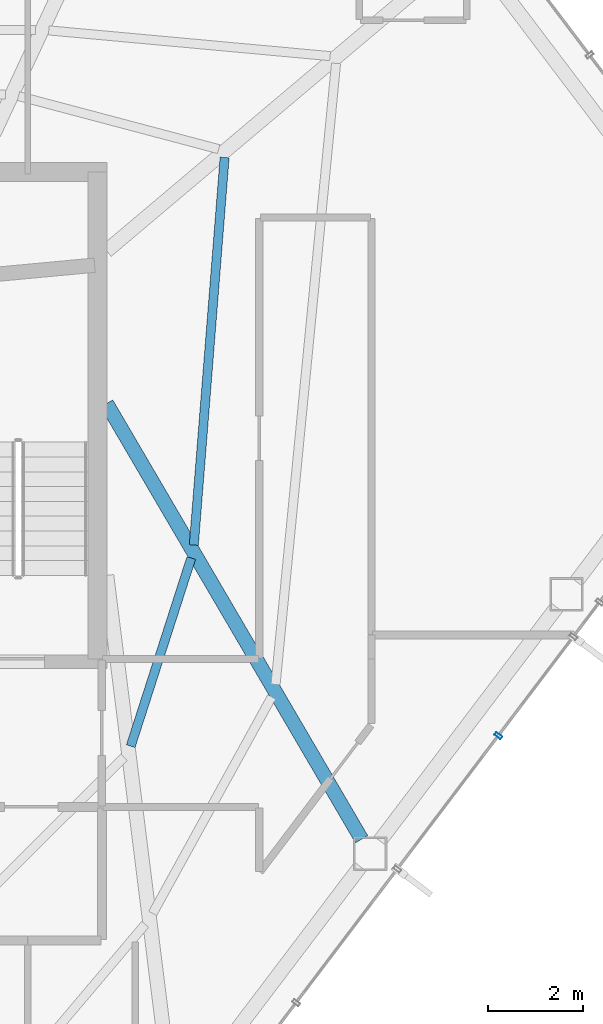
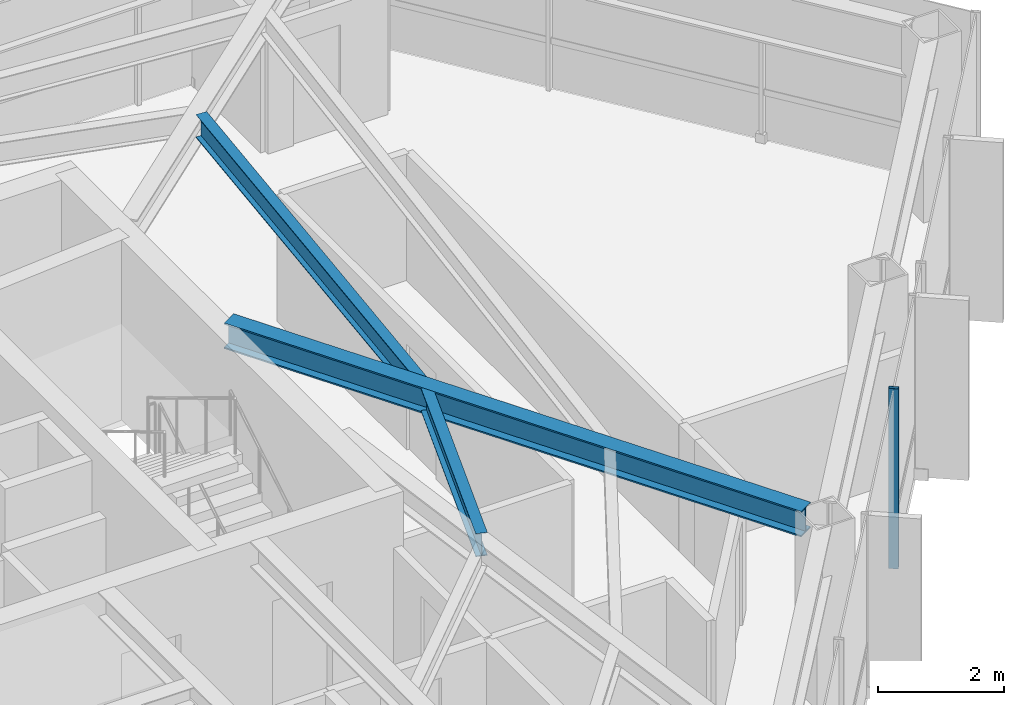
# One storey, part 19 of 28: 3 beams, 1 member, 1 element without a shape of its own.
"""IFC4 building model written with IfcOpenShell, lengths in metres."""

import ifcopenshell
import ifcopenshell.guid

model = None  # the IFC model being written
_history = None  # IfcOwnerHistory: only IFC2X3 demands one
_inside = {}  # id of a spatial element -> (the spatial element, [elements in it])
_under = {}  # id of a project, library or spatial element -> (it, [spatial elements below it])
_declared = {}  # id of a project -> (the project, [libraries it declares])
_typed = {}  # id of a type object -> (the type object, [elements of that type])
_made_of = {}  # id of a material, layer set ... -> (it, [elements and type objects made of it])


def new_model(schema):
    """Start an empty IFC model of exactly this schema.

    Asked for "IFC4X3", IfcOpenShell would pick the latest addendum, in which some entities
    have other attributes; the version numbers below select the first issue.
    IFC2X3 requires an IfcOwnerHistory on every rooted entity: one is made here for all.
    """
    global model, _history
    if schema == "IFC4X3":
        model = ifcopenshell.file(schema_version=(4, 3, 0, 0))
    else:
        model = ifcopenshell.file(schema=schema)
    _inside.clear()
    _under.clear()
    _declared.clear()
    _typed.clear()
    _made_of.clear()
    _history = None
    if model.schema == "IFC2X3":
        org = make("IfcOrganization", Name="unknown")
        user = make(
            "IfcPersonAndOrganization",
            ThePerson=make("IfcPerson", FamilyName="unknown"),
            TheOrganization=org,
        )
        app = make(
            "IfcApplication",
            ApplicationDeveloper=org,
            Version="unknown",
            ApplicationFullName="unknown",
            ApplicationIdentifier="unknown",
        )
        _history = make(
            "IfcOwnerHistory",
            OwningUser=user,
            OwningApplication=app,
            ChangeAction="ADDED",
            CreationDate=0,
        )
    return model


def make(cls, **values):
    """One entity of the class cls with the attributes given. An attribute that is None is left unset."""
    return model.create_entity(
        cls, **{name: value for name, value in values.items() if value is not None}
    )


def rooted(cls, **values):
    """An entity with a GlobalId (a new one), such as an element, a storey or a relation."""
    return make(cls, GlobalId=ifcopenshell.guid.new(), OwnerHistory=_history, **values)


def si_unit(unit_type, name, prefix=None):
    """IfcSIUnit, for example si_unit("LENGTHUNIT", "METRE", prefix="MILLI")."""
    return make("IfcSIUnit", UnitType=unit_type, Prefix=prefix, Name=name)


def assignment(units):
    """IfcUnitAssignment: the units of a project."""
    return None if units is None else make("IfcUnitAssignment", Units=units)


def point(xyz):
    """IfcCartesianPoint."""
    return None if xyz is None else make("IfcCartesianPoint", Coordinates=xyz)


def direction(xyz):
    """IfcDirection."""
    return None if xyz is None else make("IfcDirection", DirectionRatios=xyz)


def frame(location, z_axis=None, x_axis=None):
    """IfcAxis2Placement3D, a coordinate frame: its origin and axes. An axis left out is left unset."""
    return make(
        "IfcAxis2Placement3D",
        Location=point(location),
        Axis=direction(z_axis),
        RefDirection=direction(x_axis),
    )


def frame_2d(location, x_axis=None):
    """IfcAxis2Placement2D, a coordinate frame in the plane: its origin and x axis."""
    return make(
        "IfcAxis2Placement2D", Location=point(location), RefDirection=direction(x_axis)
    )


def origin():
    """The frame at (0, 0, 0) with its axes left unset."""
    return frame((0.0, 0.0, 0.0))


def origin_2d():
    """The frame at (0, 0) in the plane with its x axis left unset."""
    return frame_2d((0.0, 0.0))


def place(relative_to, where):
    """IfcLocalPlacement: puts the frame where relative to a parent placement (None: the world)."""
    return make(
        "IfcLocalPlacement", PlacementRelTo=relative_to, RelativePlacement=where
    )


def context(
    kind, dimensions, precision=None, world=None, true_north=None, identifier=None
):
    """IfcGeometricRepresentationContext, for example the 3D "Model" context."""
    return make(
        "IfcGeometricRepresentationContext",
        ContextIdentifier=identifier,
        ContextType=kind,
        CoordinateSpaceDimension=dimensions,
        Precision=precision,
        WorldCoordinateSystem=world,
        TrueNorth=true_north,
    )


def subcontext(parent, identifier, kind, view, scale=None):
    """IfcGeometricRepresentationSubContext, for example "Body" below "Model"."""
    return make(
        "IfcGeometricRepresentationSubContext",
        ContextIdentifier=identifier,
        ContextType=kind,
        ParentContext=parent,
        TargetScale=scale,
        TargetView=view,
    )


def project(units=None, contexts=None):
    """IfcProject with its units and contexts."""
    return rooted(
        "IfcProject",
        Name="project",
        RepresentationContexts=contexts,
        UnitsInContext=assignment(units),
    )


def spatial(cls, under=None, at=None, **own):
    """A site, building, storey or space (cls), placed at a placement, below another one or the project."""
    s = rooted(cls, ObjectPlacement=at, **own)
    if under is not None:
        _under.setdefault(under.id(), (under, []))[1].append(s)
    return s


def profile(cls, at=None, kind="AREA", **sizes):
    """A parametric profile (cls). Its sizes go by their IFC names, for example OverallWidth=200.0."""
    return make(cls, ProfileType=kind, Position=at, **sizes)


def hollow_rectangle(**sizes):
    """IfcRectangleHollowProfileDef."""
    return profile("IfcRectangleHollowProfileDef", **sizes)


def i_section(**sizes):
    """IfcIShapeProfileDef."""
    return profile("IfcIShapeProfileDef", **sizes)


def extrude(swept, where, along, depth):
    """IfcExtrudedAreaSolid: the profile swept, set in the frame where, extruded along a direction by depth."""
    return make(
        "IfcExtrudedAreaSolid",
        SweptArea=swept,
        Position=where,
        ExtrudedDirection=direction(along),
        Depth=depth,
    )


def shape(context_of_items, identifier, shape_type, items):
    """IfcShapeRepresentation: the items that make up one representation, for example the "Body"."""
    return make(
        "IfcShapeRepresentation",
        ContextOfItems=context_of_items,
        RepresentationIdentifier=identifier,
        RepresentationType=shape_type,
        Items=items,
    )


def material(Name=None, Category=None):
    """IfcMaterial."""
    return make("IfcMaterial", Name=Name, Category=Category)


def layer(
    of_material, thickness, ventilated=None, Name=None, Category=None, Priority=None
):
    """IfcMaterialLayer: one layer of a wall or slab, of a material (None: an air gap)."""
    return make(
        "IfcMaterialLayer",
        Material=of_material,
        LayerThickness=thickness,
        IsVentilated=ventilated,
        Name=Name,
        Category=Category,
        Priority=Priority,
    )


def layer_set(layers, Name=None):
    """IfcMaterialLayerSet."""
    return make("IfcMaterialLayerSet", MaterialLayers=layers, LayerSetName=Name)


def material_profile(
    of_material, cross_section, Name=None, Category=None, Priority=None
):
    """IfcMaterialProfile: a cross section and its material."""
    return make(
        "IfcMaterialProfile",
        Name=Name,
        Material=of_material,
        Profile=cross_section,
        Priority=Priority,
        Category=Category,
    )


def profile_set(profiles, Name=None, composite=None):
    """IfcMaterialProfileSet."""
    return make(
        "IfcMaterialProfileSet",
        Name=Name,
        MaterialProfiles=profiles,
        CompositeProfile=composite,
    )


def made_of(thing, what):
    """Note that an element or type object is made of a material, layer set ...; save() writes the relation."""
    if what is not None:
        _made_of.setdefault(what.id(), (what, []))[1].append(thing)
    return thing


def type_object(cls, material=None, **own):
    """A type object (cls), such as IfcWallType, which elements share."""
    return made_of(rooted(cls, **own), material)


def element(
    cls,
    number,
    at=None,
    inside=None,
    cuts=None,
    type_object=None,
    material=None,
    context=None,
    identifier="Body",
    shape_type=None,
    held_by="IfcProductDefinitionShape",
    body=None,
    shapes=None,
    **own,
):
    """One element of the class cls, such as IfcWall. Its Tag is "e" and its number.

    at: its placement. inside: the storey or other place that contains it. cuts: it is an
    opening in that element (IfcRelVoidsElement). A single representation is given by context,
    identifier, shape_type and body (its items); several are given by shapes. held_by: the class
    of the entity that holds the representations. save() writes the other relations.
    """
    e = rooted(cls, Tag="e%d" % number, ObjectPlacement=at, **own)
    if body is not None:
        shapes = [shape(context, identifier, shape_type, body)]
    if shapes is not None:
        e.Representation = make(held_by, Representations=shapes)
    if inside is not None:
        _inside.setdefault(inside.id(), (inside, []))[1].append(e)
    if cuts is not None:
        rooted(
            "IfcRelVoidsElement", RelatingBuildingElement=cuts, RelatedOpeningElement=e
        )
    if type_object is not None:
        _typed.setdefault(type_object.id(), (type_object, []))[1].append(e)
    return made_of(e, material)


def aggregate(whole, parts):
    """IfcRelAggregates: a whole, such as a stair, and the parts it consists of."""
    return rooted("IfcRelAggregates", RelatingObject=whole, RelatedObjects=parts)


def save(model, path):
    """Write the relations noted so far, then the file.

    IfcRelAggregates (storeys below a building ...), IfcRelContainedInSpatialStructure (elements
    in a storey), IfcRelDefinesByType, IfcRelAssociatesMaterial and IfcRelDeclares: one each for
    every whole, place, type object, material and project.
    """
    for whole, parts in _under.values():
        aggregate(whole, parts)
    for where, things in _inside.values():
        rooted(
            "IfcRelContainedInSpatialStructure",
            RelatedElements=things,
            RelatingStructure=where,
        )
    for kind, things in _typed.values():
        rooted("IfcRelDefinesByType", RelatedObjects=things, RelatingType=kind)
    for what, things in _made_of.values():
        rooted("IfcRelAssociatesMaterial", RelatedObjects=things, RelatingMaterial=what)
    for by, libraries in _declared.values():
        rooted("IfcRelDeclares", RelatingContext=by, RelatedDefinitions=libraries)
    model.write(path)


model = new_model("IFC4")

# Units and contexts
model_context = context("Model", 3, precision=1e-05, world=origin(), true_north=direction((0.0, 1.0)))
body_context = subcontext(model_context, "Body", "Model", "MODEL_VIEW")
ifc_project = project(units=[si_unit("LENGTHUNIT", "METRE"), si_unit("AREAUNIT", "SQUARE_METRE"), si_unit("VOLUMEUNIT", "CUBIC_METRE"), si_unit("PLANEANGLEUNIT", "RADIAN"), si_unit("MASSUNIT", "GRAM", prefix="KILO")], contexts=[model_context])

# Site, building, storey
site_placement = place(None, origin())
site = spatial("IfcSite", under=ifc_project, at=site_placement, CompositionType="ELEMENT")
building_placement = place(site_placement, origin())
building = spatial("IfcBuilding", under=site, at=building_placement, Name="Zarrinselat Tower", CompositionType="ELEMENT")
storey_placement = place(building_placement, frame((0.0, 0.0, 164.56005859375)))
storey = spatial("IfcBuildingStorey", under=building, at=storey_placement, Name="L40", CompositionType="ELEMENT", Elevation=164.56005859375)

# Beams
ifc_material_1 = material(Name="Steel S355J2", Category="steel")
ifc_material_profile_1 = material_profile(ifc_material_1, i_section(OverallWidth=0.300048828125, OverallDepth=0.5, WebThickness=0.014404296875, FlangeThickness=0.028076171875, at=origin_2d()), Name="HEB 500")
ifc_profile_set_1 = profile_set([ifc_material_profile_1], Name="Steel S355J2")
beam_type_1 = type_object("IfcBeamType", Name="BM-HEB500", PredefinedType="BEAM", material=ifc_profile_set_1)
beam_1_placement = place(storey_placement, frame((48.449951171875, 38.60009765625, 3.25), z_axis=(0.505160750965, -0.863025269436, 0.0), x_axis=(0.863025269436, 0.505160750965, 0.0)))
element("IfcBeam", 1, at=beam_1_placement, inside=storey, type_object=beam_type_1, Name="L40 Radial Primary Girder RG13", PredefinedType="BEAM", context=body_context, shape_type="SweptSolid", body=[
    extrude(i_section(OverallWidth=0.300048828125, OverallDepth=0.5, WebThickness=0.014404296875, FlangeThickness=0.028076171875, at=origin_2d()), origin(), (0.0, 0.0, 1.0), 10.576416015625),
])
ifc_material_2 = material(Name="Steel S355J2", Category="steel")
ifc_material_profile_2 = material_profile(ifc_material_2, i_section(OverallWidth=0.18994140625, OverallDepth=0.449951171875, WebThickness=0.009521484375, FlangeThickness=0.0146484375, at=origin_2d()), Name="IPE 450")
ifc_profile_set_2 = profile_set([ifc_material_profile_2], Name="Steel S355J2")
beam_type_2 = type_object("IfcBeamType", Name="BM-IPE450", PredefinedType="JOIST", material=ifc_profile_set_2)
beam_2_placement = place(storey_placement, frame((48.955810546875, 31.422119140625, 3.27490234375), z_axis=(0.306232509033, 0.951956748183, 0.0), x_axis=(-0.951956748183, 0.306232509033, 0.0)))
element("IfcBeam", 2, at=beam_2_placement, inside=storey, type_object=beam_type_2, Name="L40 Composite Floor Joist 4-2", PredefinedType="JOIST", context=body_context, shape_type="SweptSolid", body=[
    extrude(i_section(OverallWidth=0.18994140625, OverallDepth=0.449951171875, WebThickness=0.009521484375, FlangeThickness=0.0146484375, at=origin_2d()), origin(), (0.0, 0.0, 1.0), 4.14013671875),
])
beam_3_placement = place(storey_placement, frame((50.277587890625, 35.635986328125, 3.27490234375), z_axis=(0.079190056369, 0.99685953623, 0.0), x_axis=(-0.99685953623, 0.079190056369, 0.0)))
element("IfcBeam", 3, at=beam_3_placement, inside=storey, type_object=beam_type_2, Name="L40 Composite Floor Joist 5-2", PredefinedType="JOIST", context=body_context, shape_type="SweptSolid", body=[
    extrude(i_section(OverallWidth=0.18994140625, OverallDepth=0.449951171875, WebThickness=0.009521484375, FlangeThickness=0.0146484375, at=origin_2d()), origin(), (0.0, 0.0, 1.0), 8.145263671875),
])

# Curtain wall, member
ifc_material_3 = material(Name="Extruded Aluminium Alloy EN AW-6063 T6", Category="aluminium")
ifc_layer = layer(ifc_material_3, 0.175048828125)
ifc_layer_set = layer_set([ifc_layer], Name="Extruded Aluminium Alloy EN AW-6063 T6")
curtain_wall_type = type_object("IfcCurtainWallType", Name="CWS-HTL", PredefinedType="NOTDEFINED", material=ifc_layer_set)
curtain_wall_placement = place(storey_placement, origin())
curtain_wall = element("IfcCurtainWall", 4, at=curtain_wall_placement, inside=storey, type_object=curtain_wall_type, Name="L40 Unitised Curtain Wall CW-L40-E05", PredefinedType="NOTDEFINED")
ifc_material_4 = material(Name="Extruded Aluminium Alloy EN AW-6063 T6", Category="aluminium")
ifc_material_profile_3 = material_profile(ifc_material_4, hollow_rectangle(XDim=0.070068359375, YDim=0.159912109375, WallThickness=0.00390625, at=origin_2d()), Name="RHS 160x70x4")
ifc_profile_set_3 = profile_set([ifc_material_profile_3], Name="Extruded Aluminium Alloy EN AW-6063 T6")
member_type = type_object("IfcMemberType", Name="MEM-CW-MUL2", PredefinedType="MULLION", material=ifc_profile_set_3)
member_placement = place(storey_placement, frame((56.6591796875, 31.64111328125, 0.0), z_axis=(0.0, 0.0, 1.0), x_axis=(0.603858853713, 0.797091265033, 0.0)))
member = element("IfcMember", 5, at=member_placement, type_object=member_type, Name="CW-L40-E05 Mullion 6", PredefinedType="MULLION", context=body_context, shape_type="SweptSolid", body=[
    extrude(hollow_rectangle(XDim=0.070068359375, YDim=0.159912109375, WallThickness=0.00390625, at=origin_2d()), origin(), (0.0, 0.0, 1.0), 3.5),
])
aggregate(curtain_wall, [member])

save(model, "model.ifc")
